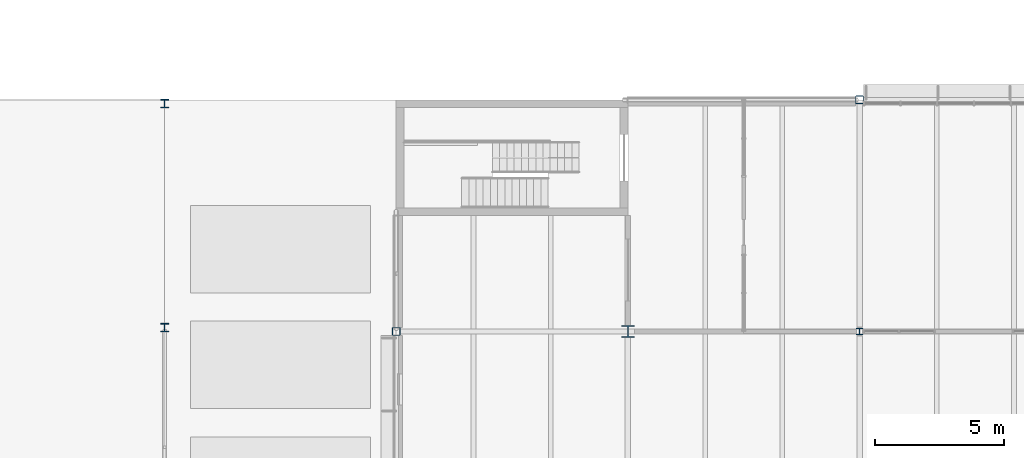
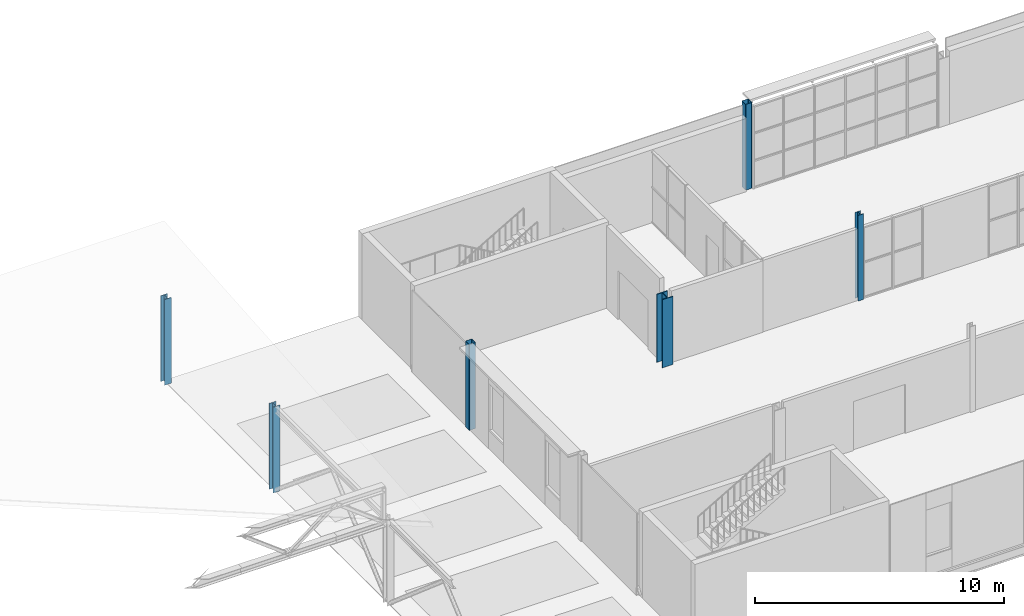
# One storey, part 3 of 61: 6 columns.
"""IFC4 building model written with IfcOpenShell, lengths in metres."""

import ifcopenshell
import ifcopenshell.guid

model = None  # the IFC model being written
_history = None  # IfcOwnerHistory: only IFC2X3 demands one
_inside = {}  # id of a spatial element -> (the spatial element, [elements in it])
_under = {}  # id of a project, library or spatial element -> (it, [spatial elements below it])
_declared = {}  # id of a project -> (the project, [libraries it declares])
_typed = {}  # id of a type object -> (the type object, [elements of that type])
_made_of = {}  # id of a material, layer set ... -> (it, [elements and type objects made of it])


def new_model(schema):
    """Start an empty IFC model of exactly this schema.

    Asked for "IFC4X3", IfcOpenShell would pick the latest addendum, in which some entities
    have other attributes; the version numbers below select the first issue.
    IFC2X3 requires an IfcOwnerHistory on every rooted entity: one is made here for all.
    """
    global model, _history
    if schema == "IFC4X3":
        model = ifcopenshell.file(schema_version=(4, 3, 0, 0))
    else:
        model = ifcopenshell.file(schema=schema)
    _inside.clear()
    _under.clear()
    _declared.clear()
    _typed.clear()
    _made_of.clear()
    _history = None
    if model.schema == "IFC2X3":
        org = make("IfcOrganization", Name="unknown")
        user = make(
            "IfcPersonAndOrganization",
            ThePerson=make("IfcPerson", FamilyName="unknown"),
            TheOrganization=org,
        )
        app = make(
            "IfcApplication",
            ApplicationDeveloper=org,
            Version="unknown",
            ApplicationFullName="unknown",
            ApplicationIdentifier="unknown",
        )
        _history = make(
            "IfcOwnerHistory",
            OwningUser=user,
            OwningApplication=app,
            ChangeAction="ADDED",
            CreationDate=0,
        )
    return model


def make(cls, **values):
    """One entity of the class cls with the attributes given. An attribute that is None is left unset."""
    return model.create_entity(
        cls, **{name: value for name, value in values.items() if value is not None}
    )


def rooted(cls, **values):
    """An entity with a GlobalId (a new one), such as an element, a storey or a relation."""
    return make(cls, GlobalId=ifcopenshell.guid.new(), OwnerHistory=_history, **values)


def si_unit(unit_type, name, prefix=None):
    """IfcSIUnit, for example si_unit("LENGTHUNIT", "METRE", prefix="MILLI")."""
    return make("IfcSIUnit", UnitType=unit_type, Prefix=prefix, Name=name)


def assignment(units):
    """IfcUnitAssignment: the units of a project."""
    return None if units is None else make("IfcUnitAssignment", Units=units)


def point(xyz):
    """IfcCartesianPoint."""
    return None if xyz is None else make("IfcCartesianPoint", Coordinates=xyz)


def direction(xyz):
    """IfcDirection."""
    return None if xyz is None else make("IfcDirection", DirectionRatios=xyz)


def frame(location, z_axis=None, x_axis=None):
    """IfcAxis2Placement3D, a coordinate frame: its origin and axes. An axis left out is left unset."""
    return make(
        "IfcAxis2Placement3D",
        Location=point(location),
        Axis=direction(z_axis),
        RefDirection=direction(x_axis),
    )


def frame_2d(location, x_axis=None):
    """IfcAxis2Placement2D, a coordinate frame in the plane: its origin and x axis."""
    return make(
        "IfcAxis2Placement2D", Location=point(location), RefDirection=direction(x_axis)
    )


def origin():
    """The frame at (0, 0, 0) with its axes left unset."""
    return frame((0.0, 0.0, 0.0))


def origin_2d():
    """The frame at (0, 0) in the plane with its x axis left unset."""
    return frame_2d((0.0, 0.0))


def place(relative_to, where):
    """IfcLocalPlacement: puts the frame where relative to a parent placement (None: the world)."""
    return make(
        "IfcLocalPlacement", PlacementRelTo=relative_to, RelativePlacement=where
    )


def context(
    kind, dimensions, precision=None, world=None, true_north=None, identifier=None
):
    """IfcGeometricRepresentationContext, for example the 3D "Model" context."""
    return make(
        "IfcGeometricRepresentationContext",
        ContextIdentifier=identifier,
        ContextType=kind,
        CoordinateSpaceDimension=dimensions,
        Precision=precision,
        WorldCoordinateSystem=world,
        TrueNorth=true_north,
    )


def subcontext(parent, identifier, kind, view, scale=None):
    """IfcGeometricRepresentationSubContext, for example "Body" below "Model"."""
    return make(
        "IfcGeometricRepresentationSubContext",
        ContextIdentifier=identifier,
        ContextType=kind,
        ParentContext=parent,
        TargetScale=scale,
        TargetView=view,
    )


def project(units=None, contexts=None):
    """IfcProject with its units and contexts."""
    return rooted(
        "IfcProject",
        Name="project",
        RepresentationContexts=contexts,
        UnitsInContext=assignment(units),
    )


def spatial(cls, under=None, at=None, **own):
    """A site, building, storey or space (cls), placed at a placement, below another one or the project."""
    s = rooted(cls, ObjectPlacement=at, **own)
    if under is not None:
        _under.setdefault(under.id(), (under, []))[1].append(s)
    return s


def profile(cls, at=None, kind="AREA", **sizes):
    """A parametric profile (cls). Its sizes go by their IFC names, for example OverallWidth=200.0."""
    return make(cls, ProfileType=kind, Position=at, **sizes)


def hollow_rectangle(**sizes):
    """IfcRectangleHollowProfileDef."""
    return profile("IfcRectangleHollowProfileDef", **sizes)


def i_section(**sizes):
    """IfcIShapeProfileDef."""
    return profile("IfcIShapeProfileDef", **sizes)


def extrude(swept, where, along, depth):
    """IfcExtrudedAreaSolid: the profile swept, set in the frame where, extruded along a direction by depth."""
    return make(
        "IfcExtrudedAreaSolid",
        SweptArea=swept,
        Position=where,
        ExtrudedDirection=direction(along),
        Depth=depth,
    )


def shape(context_of_items, identifier, shape_type, items):
    """IfcShapeRepresentation: the items that make up one representation, for example the "Body"."""
    return make(
        "IfcShapeRepresentation",
        ContextOfItems=context_of_items,
        RepresentationIdentifier=identifier,
        RepresentationType=shape_type,
        Items=items,
    )


def material(Name=None, Category=None):
    """IfcMaterial."""
    return make("IfcMaterial", Name=Name, Category=Category)


def material_profile(
    of_material, cross_section, Name=None, Category=None, Priority=None
):
    """IfcMaterialProfile: a cross section and its material."""
    return make(
        "IfcMaterialProfile",
        Name=Name,
        Material=of_material,
        Profile=cross_section,
        Priority=Priority,
        Category=Category,
    )


def profile_set(profiles, Name=None, composite=None):
    """IfcMaterialProfileSet."""
    return make(
        "IfcMaterialProfileSet",
        Name=Name,
        MaterialProfiles=profiles,
        CompositeProfile=composite,
    )


def made_of(thing, what):
    """Note that an element or type object is made of a material, layer set ...; save() writes the relation."""
    if what is not None:
        _made_of.setdefault(what.id(), (what, []))[1].append(thing)
    return thing


def type_object(cls, material=None, **own):
    """A type object (cls), such as IfcWallType, which elements share."""
    return made_of(rooted(cls, **own), material)


def element(
    cls,
    number,
    at=None,
    inside=None,
    cuts=None,
    type_object=None,
    material=None,
    context=None,
    identifier="Body",
    shape_type=None,
    held_by="IfcProductDefinitionShape",
    body=None,
    shapes=None,
    **own,
):
    """One element of the class cls, such as IfcWall. Its Tag is "e" and its number.

    at: its placement. inside: the storey or other place that contains it. cuts: it is an
    opening in that element (IfcRelVoidsElement). A single representation is given by context,
    identifier, shape_type and body (its items); several are given by shapes. held_by: the class
    of the entity that holds the representations. save() writes the other relations.
    """
    e = rooted(cls, Tag="e%d" % number, ObjectPlacement=at, **own)
    if body is not None:
        shapes = [shape(context, identifier, shape_type, body)]
    if shapes is not None:
        e.Representation = make(held_by, Representations=shapes)
    if inside is not None:
        _inside.setdefault(inside.id(), (inside, []))[1].append(e)
    if cuts is not None:
        rooted(
            "IfcRelVoidsElement", RelatingBuildingElement=cuts, RelatedOpeningElement=e
        )
    if type_object is not None:
        _typed.setdefault(type_object.id(), (type_object, []))[1].append(e)
    return made_of(e, material)


def aggregate(whole, parts):
    """IfcRelAggregates: a whole, such as a stair, and the parts it consists of."""
    return rooted("IfcRelAggregates", RelatingObject=whole, RelatedObjects=parts)


def save(model, path):
    """Write the relations noted so far, then the file.

    IfcRelAggregates (storeys below a building ...), IfcRelContainedInSpatialStructure (elements
    in a storey), IfcRelDefinesByType, IfcRelAssociatesMaterial and IfcRelDeclares: one each for
    every whole, place, type object, material and project.
    """
    for whole, parts in _under.values():
        aggregate(whole, parts)
    for where, things in _inside.values():
        rooted(
            "IfcRelContainedInSpatialStructure",
            RelatedElements=things,
            RelatingStructure=where,
        )
    for kind, things in _typed.values():
        rooted("IfcRelDefinesByType", RelatedObjects=things, RelatingType=kind)
    for what, things in _made_of.values():
        rooted("IfcRelAssociatesMaterial", RelatedObjects=things, RelatingMaterial=what)
    for by, libraries in _declared.values():
        rooted("IfcRelDeclares", RelatingContext=by, RelatedDefinitions=libraries)
    model.write(path)


model = new_model("IFC4")

# Units and contexts
model_context = context("Model", 3, precision=1e-05, world=origin(), true_north=direction((0.0, 1.0)))
body_context = subcontext(model_context, "Body", "Model", "MODEL_VIEW")
ifc_project = project(units=[si_unit("LENGTHUNIT", "METRE"), si_unit("AREAUNIT", "SQUARE_METRE"), si_unit("VOLUMEUNIT", "CUBIC_METRE"), si_unit("PLANEANGLEUNIT", "RADIAN"), si_unit("MASSUNIT", "GRAM", prefix="KILO")], contexts=[model_context])

# Site, building, storey
site_placement = place(None, origin())
site = spatial("IfcSite", under=ifc_project, at=site_placement, CompositionType="ELEMENT")
building_placement = place(site_placement, origin())
building = spatial("IfcBuilding", under=site, at=building_placement, Name="Halyard Row Museum", CompositionType="ELEMENT")
storey_placement = place(building_placement, frame((0.0, 0.0, 9.199951171875)))
storey = spatial("IfcBuildingStorey", under=building, at=storey_placement, Name="L02", CompositionType="ELEMENT", Elevation=9.199951171875)

# Columns
ifc_material_1 = material(Name="Steel Grade 300", Category="steel")
ifc_material_profile_1 = material_profile(ifc_material_1, i_section(OverallWidth=0.25390625, OverallDepth=0.25390625, WebThickness=0.008544921875, FlangeThickness=0.01416015625, FilletRadius=0.013916015625, at=origin_2d()), Name="250UC72.9")
ifc_profile_set_1 = profile_set([ifc_material_profile_1], Name="Steel Grade 300")
column_type_1 = type_object("IfcColumnType", Name="Column 250UC72.9 interior", PredefinedType="COLUMN", material=ifc_profile_set_1)
column_1_placement = place(storey_placement, frame((45.0, 36.0, 0.0), z_axis=(0.0, 0.0, 1.0), x_axis=(1.0, 0.0, 0.0)))
element("IfcColumn", 1, at=column_1_placement, inside=storey, type_object=column_type_1, Name="Column 6E L02", PredefinedType="COLUMN", context=body_context, shape_type="SweptSolid", body=[
    extrude(i_section(OverallWidth=0.25390625, OverallDepth=0.25390625, WebThickness=0.008544921875, FlangeThickness=0.01416015625, FilletRadius=0.013916015625, at=origin_2d()), origin(), (0.0, 0.0, 1.0), 4.199951171875),
])
ifc_material_2 = material(Name="Steel Grade C350L0", Category="steel")
ifc_material_profile_2 = material_profile(ifc_material_2, hollow_rectangle(XDim=0.300048828125, YDim=0.300048828125, WallThickness=0.010009765625, InnerFilletRadius=0.014892578125, OuterFilletRadius=0.02490234375, at=origin_2d()), Name="300x300x10.0SHS")
ifc_profile_set_2 = profile_set([ifc_material_profile_2], Name="Steel Grade C350L0")
column_type_2 = type_object("IfcColumnType", Name="Column 300x300x10.0SHS edge", PredefinedType="COLUMN", material=ifc_profile_set_2)
for number, where, z_axis, x_axis, name in (
    (2, (27.0, 36.0, 0.0), (0.0, 0.0, 1.0), (1.0, 0.0, 0.0), "Column 4E L02"),
    (3, (45.0, 45.0, 0.0), (0.0, 0.0, 1.0), (1.0, 0.0, 0.0), "Column 6F L02"),
):
    element("IfcColumn", number, at=place(storey_placement, frame(where, z_axis=z_axis, x_axis=x_axis)), inside=storey, type_object=column_type_2, Name=name, PredefinedType="COLUMN", context=body_context, shape_type="SweptSolid", body=[
        extrude(hollow_rectangle(XDim=0.300048828125, YDim=0.300048828125, WallThickness=0.010009765625, InnerFilletRadius=0.014892578125, OuterFilletRadius=0.02490234375, at=origin_2d()), origin(), (0.0, 0.0, 1.0), 4.199951171875),
    ])
ifc_material_3 = material(Name="Steel Grade 300", Category="steel")
ifc_material_profile_3 = material_profile(ifc_material_3, i_section(OverallWidth=0.5, OverallDepth=0.47998046875, WebThickness=0.0400390625, FlangeThickness=0.0400390625, at=origin_2d()), Name="500WC440")
ifc_profile_set_3 = profile_set([ifc_material_profile_3], Name="Steel Grade 300")
column_type_3 = type_object("IfcColumnType", Name="Column 500WC440 truss", PredefinedType="COLUMN", material=ifc_profile_set_3)
column_2_placement = place(storey_placement, frame((36.0, 36.0, 0.0), z_axis=(0.0, 0.0, 1.0), x_axis=(1.0, 0.0, 0.0)))
element("IfcColumn", 4, at=column_2_placement, inside=storey, type_object=column_type_3, Name="Column 5E L02", PredefinedType="COLUMN", context=body_context, shape_type="SweptSolid", body=[
    extrude(i_section(OverallWidth=0.5, OverallDepth=0.47998046875, WebThickness=0.0400390625, FlangeThickness=0.0400390625, at=origin_2d()), origin(), (0.0, 0.0, 1.0), 3.3349609375),
])
ifc_material_4 = material(Name="Steel Grade 300", Category="steel")
ifc_material_profile_4 = material_profile(ifc_material_4, i_section(OverallWidth=0.31103515625, OverallDepth=0.3271484375, WebThickness=0.015625, FlangeThickness=0.02490234375, FilletRadius=0.0166015625, at=origin_2d()), Name="310UC158")
ifc_profile_set_4 = profile_set([ifc_material_profile_4], Name="Steel Grade 300")
column_type_4 = type_object("IfcColumnType", Name="Hall frame column 310UC158", PredefinedType="COLUMN", material=ifc_profile_set_4)
for number, where, z_axis, x_axis, name in (
    (5, (18.0, 36.14990234375, 0.0), (0.0, 0.0, 1.0), (1.0, 0.0, 0.0), "Hall frame column L02 y 36"),
    (6, (18.0, 44.85009765625, 0.0), (0.0, 0.0, 1.0), (1.0, 0.0, 0.0), "Hall frame column L02 y 45"),
):
    element("IfcColumn", number, at=place(storey_placement, frame(where, z_axis=z_axis, x_axis=x_axis)), inside=storey, type_object=column_type_4, Name=name, PredefinedType="COLUMN", context=body_context, shape_type="SweptSolid", body=[
        extrude(i_section(OverallWidth=0.31103515625, OverallDepth=0.3271484375, WebThickness=0.015625, FlangeThickness=0.02490234375, FilletRadius=0.0166015625, at=origin_2d()), origin(), (0.0, 0.0, 1.0), 4.199951171875),
    ])

save(model, "model.ifc")
